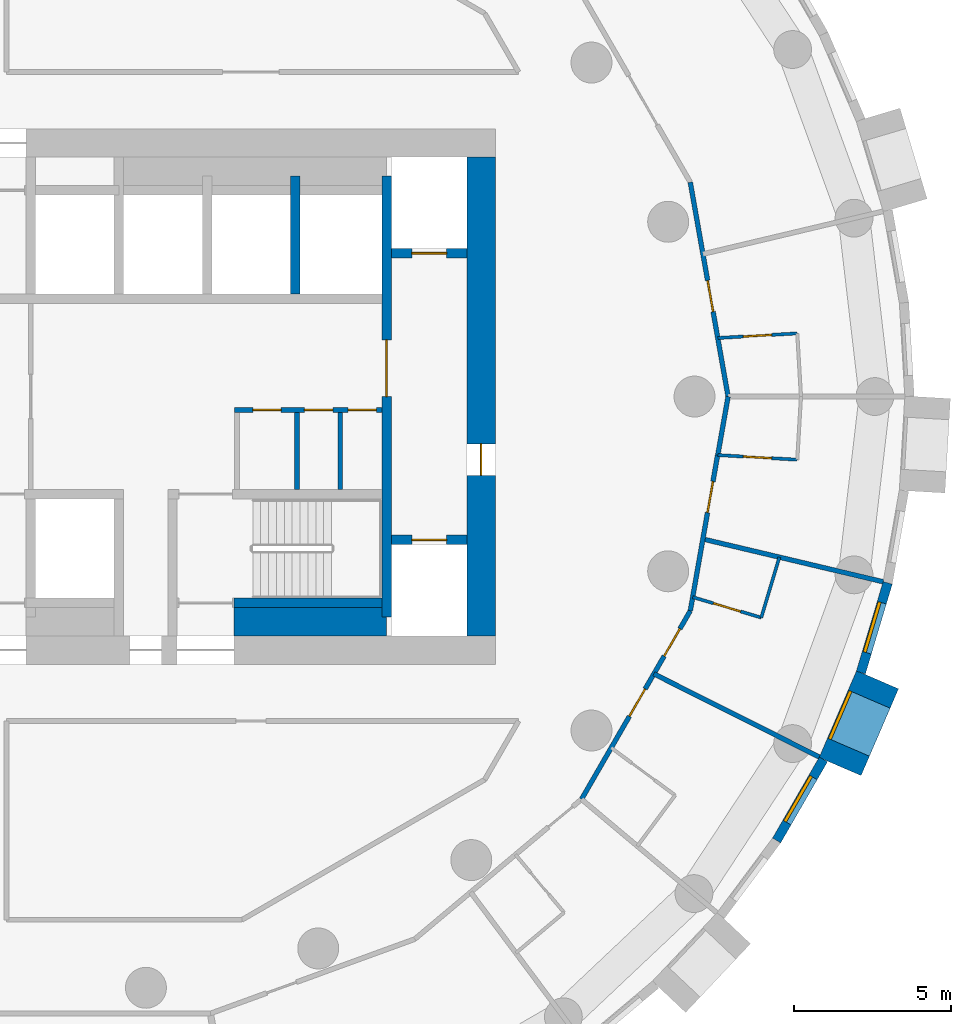
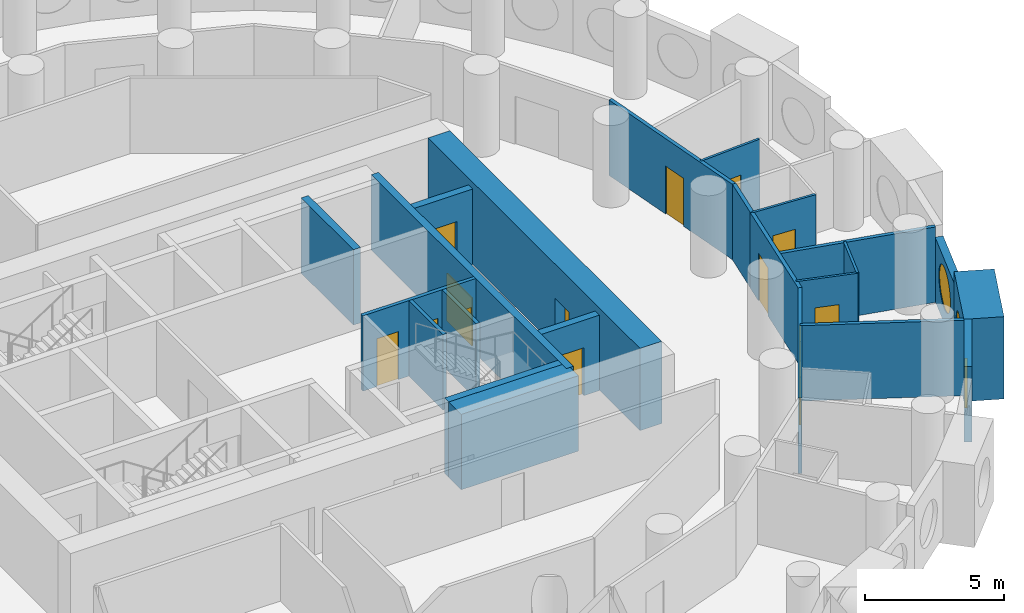
# One storey, part 5 of 9: 23 walls, 14 doors, 3 windows, 17 openings.
"""IFC4 building model written with IfcOpenShell, lengths in metres."""

from ifc_helpers import new_model, si_unit, direction, frame, frame_2d, origin, origin_2d, place, context, subcontext, project, spatial, rectangle, circle, extrude, material, layer, layer_set, type_object, element, fill, save


model = new_model("IFC4")

# Units and contexts
model_context = context("Model", 3, precision=1e-05, world=origin(), true_north=direction((0.0, 1.0)))
body_context = subcontext(model_context, "Body", "Model", "MODEL_VIEW")
ifc_project = project(units=[si_unit("LENGTHUNIT", "METRE"), si_unit("AREAUNIT", "SQUARE_METRE"), si_unit("VOLUMEUNIT", "CUBIC_METRE"), si_unit("PLANEANGLEUNIT", "RADIAN"), si_unit("MASSUNIT", "GRAM", prefix="KILO")], contexts=[model_context])

# Site, building, storey
site_placement = place(None, origin())
site = spatial("IfcSite", under=ifc_project, at=site_placement, CompositionType="ELEMENT")
building_placement = place(site_placement, origin())
building = spatial("IfcBuilding", under=site, at=building_placement, Name="Tracery Tower", CompositionType="ELEMENT")
storey_placement = place(building_placement, frame((0.0, 0.0, 190.800048828125)))
storey = spatial("IfcBuildingStorey", under=building, at=storey_placement, Name="L49", CompositionType="ELEMENT", Elevation=190.800048828125)

# Wall, openings, doors
ifc_material_1 = material(Name="Plasterboard on steel studs", Category="steel")
ifc_layer_1 = layer(ifc_material_1, 0.14990234375)
ifc_layer_set_1 = layer_set([ifc_layer_1], Name="Core room partition 150")
wall_type_1 = type_object("IfcWallType", Name="Core room partition 150", PredefinedType="SOLIDWALL", material=ifc_layer_set_1)
wall_1_placement = place(storey_placement, frame((4.22509765625, -0.425048828125, 0.0), z_axis=(0.0, 0.0, 1.0), x_axis=(1.0, 0.0, 0.0)))
wall_1 = element("IfcWall", 1, at=wall_1_placement, inside=storey, type_object=wall_type_1, Name="L49 slot N", PredefinedType="SOLIDWALL", context=body_context, shape_type="SweptSolid", body=[
    extrude(rectangle(XDim=4.6748046875, YDim=0.14990234375, at=frame_2d((2.33740234375, 0.0))), origin(), (0.0, 0.0, 1.0), 3.300048828125),
])
opening_1_placement = place(wall_1_placement, frame((0.574951171875, 0.0, 0.0)))
opening_1 = element("IfcOpeningElement", 2, at=opening_1_placement, cuts=wall_1, Name="Opening KD22", PredefinedType="OPENING", context=body_context, shape_type="SweptSolid", body=[
    extrude(rectangle(XDim=0.89990234375, YDim=2.10009765625, at=frame_2d((0.449951171875, 1.050048828125))), frame((0.0, 0.074951171875, 0.0), z_axis=(0.0, -1.0, 0.0), x_axis=(1.0, 0.0, 0.0)), (0.0, 0.0, 1.0), 0.14990234375),
])
opening_2_placement = place(wall_1_placement, frame((2.21240234375, 0.0, 0.0)))
opening_2 = element("IfcOpeningElement", 3, at=opening_2_placement, cuts=wall_1, Name="Opening KD26", PredefinedType="OPENING", context=body_context, shape_type="SweptSolid", body=[
    extrude(rectangle(XDim=0.89990234375, YDim=2.10009765625, at=frame_2d((0.449951171875, 1.050048828125))), frame((0.0, 0.074951171875, 0.0), z_axis=(0.0, -1.0, 0.0), x_axis=(1.0, 0.0, 0.0)), (0.0, 0.0, 1.0), 0.14990234375),
])
opening_3_placement = place(wall_1_placement, frame((3.60009765625, 0.0, 0.0)))
opening_3 = element("IfcOpeningElement", 4, at=opening_3_placement, cuts=wall_1, Name="Opening KD27", PredefinedType="OPENING", context=body_context, shape_type="SweptSolid", body=[
    extrude(rectangle(XDim=0.89990234375, YDim=2.10009765625, at=frame_2d((0.449951171875, 1.050048828125))), frame((0.0, 0.074951171875, 0.0), z_axis=(0.0, -1.0, 0.0), x_axis=(1.0, 0.0, 0.0)), (0.0, 0.0, 1.0), 0.14990234375),
])
ifc_material_2 = material(Name="Timber door leaf", Category="wood")
door_type_1 = type_object("IfcDoorType", Name="Core WC door 900", OperationType="NOTDEFINED", PredefinedType="DOOR", material=ifc_material_2)
door_1_placement = place(opening_1_placement, origin())
door_1 = element("IfcDoor", 5, at=door_1_placement, inside=storey, type_object=door_type_1, Name="Core door", OperationType="SINGLE_SWING_RIGHT", OverallHeight=2.10009765625, OverallWidth=0.89990234375, PredefinedType="DOOR", context=body_context, shape_type="SweptSolid", body=[
    extrude(rectangle(XDim=0.89990234375, YDim=2.10009765625, at=frame_2d((0.449951171875, 1.050048828125))), frame((0.0, 0.02490234375, 0.0), z_axis=(0.0, -1.0, 0.0), x_axis=(1.0, 0.0, 0.0)), (0.0, 0.0, 1.0), 0.050048828125),
])
fill(opening_1, door_1)
ifc_material_3 = material(Name="Timber door leaf", Category="wood")
door_type_2 = type_object("IfcDoorType", Name="Core store door 900", OperationType="NOTDEFINED", PredefinedType="DOOR", material=ifc_material_3)
door_2_placement = place(opening_2_placement, origin())
door_2 = element("IfcDoor", 6, at=door_2_placement, inside=storey, type_object=door_type_2, Name="Core door", OperationType="SINGLE_SWING_LEFT", OverallHeight=2.10009765625, OverallWidth=0.89990234375, PredefinedType="DOOR", context=body_context, shape_type="SweptSolid", body=[
    extrude(rectangle(XDim=0.89990234375, YDim=2.10009765625, at=frame_2d((0.449951171875, 1.050048828125))), frame((0.0, 0.02490234375, 0.0), z_axis=(0.0, -1.0, 0.0), x_axis=(1.0, 0.0, 0.0)), (0.0, 0.0, 1.0), 0.050048828125),
])
fill(opening_2, door_2)
door_3_placement = place(opening_3_placement, origin())
door_3 = element("IfcDoor", 7, at=door_3_placement, inside=storey, type_object=door_type_2, Name="Core door", OperationType="SINGLE_SWING_RIGHT", OverallHeight=2.10009765625, OverallWidth=0.89990234375, PredefinedType="DOOR", context=body_context, shape_type="SweptSolid", body=[
    extrude(rectangle(XDim=0.89990234375, YDim=2.10009765625, at=frame_2d((0.449951171875, 1.050048828125))), frame((0.0, 0.02490234375, 0.0), z_axis=(0.0, -1.0, 0.0), x_axis=(1.0, 0.0, 0.0)), (0.0, 0.0, 1.0), 0.050048828125),
])
fill(opening_3, door_3)

# Walls
for number, where, z_axis, x_axis, name in (
    (8, (6.199951171875, -2.949951171875, 0.0), (0.0, 0.0, 1.0), (0.0, 1.0, 0.0), "L49 slot sep 1"),
    (9, (7.574951171875, -2.949951171875, 0.0), (0.0, 0.0, 1.0), (0.0, 1.0, 0.0), "L49 slot sep 2"),
):
    element("IfcWall", number, at=place(storey_placement, frame(where, z_axis=z_axis, x_axis=x_axis)), inside=storey, type_object=wall_type_1, Name=name, PredefinedType="SOLIDWALL", context=body_context, shape_type="SweptSolid", body=[
        extrude(rectangle(XDim=2.449951171875, YDim=0.14990234375, at=frame_2d((1.22509765625, 0.0))), origin(), (0.0, 0.0, 1.0), 3.300048828125),
    ])
ifc_material_4 = material(Name="Concrete C50/60", Category="concrete")
ifc_layer_2 = layer(ifc_material_4, 0.89990234375)
ifc_layer_set_2 = layer_set([ifc_layer_2], Name="Core strip wall 900 C50")
wall_type_2 = type_object("IfcWallType", Name="Core strip wall 900 C50", PredefinedType="SOLIDWALL", material=ifc_layer_set_2)
wall_2_placement = place(storey_placement, frame((4.199951171875, -7.14990234375, 0.0), z_axis=(0.0, 0.0, 1.0), x_axis=(1.0, 0.0, 0.0)))
element("IfcWall", 10, at=wall_2_placement, inside=storey, type_object=wall_type_2, Name="L49 F thick S E", PredefinedType="SOLIDWALL", context=body_context, shape_type="SweptSolid", body=[
    extrude(rectangle(XDim=4.85009765625, YDim=0.89990234375, at=frame_2d((2.425048828125, 0.0))), origin(), (0.0, 0.0, 1.0), 3.300048828125),
])

# Wall, opening, door
ifc_material_5 = material(Name="Concrete C50/60", Category="concrete")
ifc_layer_3 = layer(ifc_material_5, 0.89990234375)
ifc_layer_set_3 = layer_set([ifc_layer_3], Name="Core wall 900 C50")
wall_type_3 = type_object("IfcWallType", Name="Core wall 900 C50", PredefinedType="SOLIDWALL", material=ifc_layer_set_3)
wall_3_placement = place(storey_placement, frame((12.050048828125, -7.60009765625, 0.0), z_axis=(0.0, 0.0, 1.0), x_axis=(0.0, 1.0, 0.0)))
wall_3 = element("IfcWall", 11, at=wall_3_placement, inside=storey, type_object=wall_type_3, Name="L49 outer E", PredefinedType="SOLIDWALL", context=body_context, shape_type="SweptSolid", body=[
    extrude(rectangle(XDim=15.2001953125, YDim=0.89990234375, at=frame_2d((7.60009765625, 0.0))), origin(), (0.0, 0.0, 1.0), 3.599853515625),
])
opening_4_placement = place(wall_3_placement, frame((5.10009765625, 0.0, 0.0)))
opening_4 = element("IfcOpeningElement", 12, at=opening_4_placement, cuts=wall_3, Name="Opening KD18", PredefinedType="OPENING", context=body_context, shape_type="SweptSolid", body=[
    extrude(rectangle(XDim=1.0, YDim=2.10009765625, at=frame_2d((0.5, 1.050048828125))), frame((0.0, 0.449951171875, 0.0), z_axis=(0.0, -1.0, 0.0), x_axis=(1.0, 0.0, 0.0)), (0.0, 0.0, 1.0), 0.89990234375),
])
ifc_material_6 = material(Name="Steel fire door", Category="steel")
door_type_3 = type_object("IfcDoorType", Name="Core exit door 1000", OperationType="NOTDEFINED", PredefinedType="DOOR", material=ifc_material_6)
door_4_placement = place(opening_4_placement, origin())
door_4 = element("IfcDoor", 13, at=door_4_placement, inside=storey, type_object=door_type_3, Name="Core exit door", OperationType="DOUBLE_DOOR_SINGLE_SWING", OverallHeight=2.10009765625, OverallWidth=1.0, PredefinedType="DOOR", context=body_context, shape_type="SweptSolid", body=[
    extrude(rectangle(XDim=1.0, YDim=2.10009765625, at=frame_2d((0.5, 1.050048828125))), frame((0.0, 0.02490234375, 0.0), z_axis=(0.0, -1.0, 0.0), x_axis=(1.0, 0.0, 0.0)), (0.0, 0.0, 1.0), 0.050048828125),
])
fill(opening_4, door_4)

# Wall, opening, window
ifc_material_7 = material(Name="Precast concrete C50/60", Category="concrete")
ifc_layer_4 = layer(ifc_material_7, 1.449951171875)
ifc_layer_set_4 = layer_set([ifc_layer_4], Name="Deep-set bay unit 3000 x 3600, slab edge 300")
wall_type_4 = type_object("IfcWallType", Name="Deep-set bay unit 3000 x 3600, slab edge 300", PredefinedType="ELEMENTEDWALL", material=ifc_layer_set_4)
wall_4_placement = place(storey_placement, frame((23.44384765625, -11.746337890625, -0.300048828125), z_axis=(0.0, 0.0, 1.0), x_axis=(0.396079003245, 0.918216435917, 0.0)))
wall_4 = element("IfcWall", 14, at=wall_4_placement, inside=storey, type_object=wall_type_4, Name="Deep-set bay unit 51 at L49", PredefinedType="ELEMENTEDWALL", context=body_context, shape_type="SweptSolid", body=[
    extrude(rectangle(XDim=3.0, YDim=1.449951171875, at=frame_2d((1.5, 0.0))), origin(), (0.0, 0.0, 1.0), 3.60009765625),
])
opening_5_placement = place(wall_4_placement, frame((1.5, 0.0, 1.85009765625)))
opening_5 = element("IfcOpeningElement", 15, at=opening_5_placement, cuts=wall_4, Name="Opening WN1", PredefinedType="OPENING", context=body_context, shape_type="SweptSolid", body=[
    extrude(circle(Radius=0.9000244140625, at=origin_2d()), frame((0.0, 0.73486328125, 0.0), z_axis=(0.0, -1.0, 0.0), x_axis=(1.0, 0.0, 0.0)), (0.0, 0.0, 1.0), 1.469970703125),
])
ifc_material_8 = material(Name="Aluminium frame with tinted double glazing", Category="aluminium")
window_type = type_object("IfcWindowType", Name="Round window 1800", PartitioningType="SINGLE_PANEL", PredefinedType="WINDOW", material=ifc_material_8)
window_1_placement = place(opening_5_placement, origin())
window_1 = element("IfcWindow", 16, at=window_1_placement, inside=storey, type_object=window_type, Name="Round window 51 at L49", OverallHeight=1.800048828125, OverallWidth=1.800048828125, PartitioningType="SINGLE_PANEL", PredefinedType="WINDOW", context=body_context, shape_type="SweptSolid", body=[
    extrude(circle(Radius=0.9000244140625, at=origin_2d()), frame((0.0, 0.69482421875, 0.0), z_axis=(0.0, -1.0, 0.0), x_axis=(1.0, 0.0, 0.0)), (0.0, 0.0, 1.0), 0.10009765625),
])
fill(opening_5, window_1)

ifc_material_9 = material(Name="Precast concrete C50/60", Category="concrete")
ifc_layer_5 = layer(ifc_material_9, 0.300048828125)
ifc_layer_set_5 = layer_set([ifc_layer_5], Name="Facade panel 3000 x 2800")
wall_type_5 = type_object("IfcWallType", Name="Facade panel 3000 x 2800", PredefinedType="SOLIDWALL", material=ifc_layer_set_5)
wall_5_placement = place(storey_placement, frame((24.103515625, -8.7626953125, 0.0), z_axis=(0.0, 0.0, 1.0), x_axis=(0.286782750849, 0.957995643944, 0.0)))
wall_5 = element("IfcWall", 17, at=wall_5_placement, inside=storey, type_object=wall_type_5, Name="Facade panel 52 at L49", PredefinedType="SOLIDWALL", context=body_context, shape_type="SweptSolid", body=[
    extrude(rectangle(XDim=2.97265625, YDim=0.300048828125, at=frame_2d((1.486328125, 0.0))), origin(), (0.0, 0.0, 1.0), 2.800048828125),
])
opening_6_placement = place(wall_5_placement, frame((1.486328125, 0.0, 1.5498046875)))
opening_6 = element("IfcOpeningElement", 18, at=opening_6_placement, cuts=wall_5, Name="Opening WN1", PredefinedType="OPENING", context=body_context, shape_type="SweptSolid", body=[
    extrude(circle(Radius=0.9000244140625, at=origin_2d()), frame((0.0, 0.159912109375, 0.0), z_axis=(0.0, -1.0, 0.0), x_axis=(1.0, 0.0, 0.0)), (0.0, 0.0, 1.0), 0.320068359375),
])
window_2_placement = place(opening_6_placement, origin())
window_2 = element("IfcWindow", 19, at=window_2_placement, inside=storey, type_object=window_type, Name="Round window 52 at L49", OverallHeight=1.800048828125, OverallWidth=1.800048828125, PartitioningType="SINGLE_PANEL", PredefinedType="WINDOW", context=body_context, shape_type="SweptSolid", body=[
    extrude(circle(Radius=0.9000244140625, at=origin_2d()), frame((0.0, 0.1201171875, 0.0), z_axis=(0.0, -1.0, 0.0), x_axis=(1.0, 0.0, 0.0)), (0.0, 0.0, 1.0), 0.10009765625),
])
fill(opening_6, window_2)

ifc_material_10 = material(Name="Precast concrete C50/60", Category="concrete")
ifc_layer_6 = layer(ifc_material_10, 0.300048828125)
ifc_layer_set_6 = layer_set([ifc_layer_6], Name="Facade panel 3000 x 3300")
wall_type_6 = type_object("IfcWallType", Name="Facade panel 3000 x 3300", PredefinedType="SOLIDWALL", material=ifc_layer_set_6)
wall_6_placement = place(storey_placement, frame((21.42822265625, -14.093505859375, 0.0), z_axis=(0.0, 0.0, 1.0), x_axis=(0.499954672104, 0.866051572276, 0.0)))
wall_6 = element("IfcWall", 20, at=wall_6_placement, inside=storey, type_object=wall_type_6, Name="Facade panel 50 at L49", PredefinedType="SOLIDWALL", context=body_context, shape_type="SweptSolid", body=[
    extrude(rectangle(XDim=2.972900390625, YDim=0.300048828125, at=frame_2d((1.486328125, 0.0))), origin(), (0.0, 0.0, 1.0), 3.300048828125),
])
opening_7_placement = place(wall_6_placement, frame((1.486328125, 0.0, 1.5498046875)))
opening_7 = element("IfcOpeningElement", 21, at=opening_7_placement, cuts=wall_6, Name="Opening WN1", PredefinedType="OPENING", context=body_context, shape_type="SweptSolid", body=[
    extrude(circle(Radius=0.9000244140625, at=origin_2d()), frame((0.0, 0.159912109375, 0.0), z_axis=(0.0, -1.0, 0.0), x_axis=(1.0, 0.0, 0.0)), (0.0, 0.0, 1.0), 0.320068359375),
])
window_3_placement = place(opening_7_placement, origin())
window_3 = element("IfcWindow", 22, at=window_3_placement, inside=storey, type_object=window_type, Name="Round window 50 at L49", OverallHeight=1.800048828125, OverallWidth=1.800048828125, PartitioningType="SINGLE_PANEL", PredefinedType="WINDOW", context=body_context, shape_type="SweptSolid", body=[
    extrude(circle(Radius=0.9000244140625, at=origin_2d()), frame((0.0, 0.1201171875, 0.0), z_axis=(0.0, -1.0, 0.0), x_axis=(1.0, 0.0, 0.0)), (0.0, 0.0, 1.0), 0.10009765625),
])
fill(opening_7, window_3)

# Wall, opening, door
ifc_material_11 = material(Name="Plasterboard on steel studs", Category="steel")
ifc_layer_7 = layer(ifc_material_11, 0.10009765625)
ifc_layer_set_7 = layer_set([ifc_layer_7], Name="Partition 100 wet wall")
wall_type_7 = type_object("IfcWallType", Name="Partition 100 wet wall", PredefinedType="PARTITIONING", material=ifc_layer_set_7)
wall_7_placement = place(storey_placement, frame((19.56005859375, 1.85791015625, 0.0), z_axis=(0.0, 0.0, 1.0), x_axis=(0.998308830473, 0.05813328651, 0.0)))
wall_7 = element("IfcWall", 23, at=wall_7_placement, inside=storey, type_object=wall_type_7, Name="Wet wall RB7-041", PredefinedType="PARTITIONING", context=body_context, shape_type="SweptSolid", body=[
    extrude(rectangle(XDim=2.5283203125, YDim=0.10009765625, at=frame_2d((1.26416015625, 0.0))), origin(), (0.0, 0.0, 1.0), 3.300048828125),
])
opening_8_placement = place(wall_7_placement, frame((0.814208984375, 0.0, 0.0)))
opening_8 = element("IfcOpeningElement", 24, at=opening_8_placement, cuts=wall_7, Name="Opening RB7-05", PredefinedType="OPENING", context=body_context, shape_type="SweptSolid", body=[
    extrude(rectangle(XDim=0.89990234375, YDim=2.0400390625, at=frame_2d((0.449951171875, 1.02001953125))), frame((0.0, 0.050048828125, 0.0), z_axis=(0.0, -1.0, 0.0), x_axis=(1.0, 0.0, 0.0)), (0.0, 0.0, 1.0), 0.10009765625),
])
ifc_material_12 = material(Name="Timber door leaf", Category="wood")
door_type_4 = type_object("IfcDoorType", Name="Door en-suite 900", OperationType="NOTDEFINED", PredefinedType="DOOR", material=ifc_material_12)
door_5_placement = place(opening_8_placement, origin())
door_5 = element("IfcDoor", 25, at=door_5_placement, inside=storey, type_object=door_type_4, Name="En-suite door RB7-05", OperationType="SINGLE_SWING_LEFT", OverallHeight=2.0400390625, OverallWidth=0.89990234375, PredefinedType="DOOR", context=body_context, shape_type="SweptSolid", body=[
    extrude(rectangle(XDim=0.89990234375, YDim=2.0400390625, at=frame_2d((0.449951171875, 1.02001953125))), frame((0.0, 0.02490234375, 0.0), z_axis=(0.0, -1.0, 0.0), x_axis=(1.0, 0.0, 0.0)), (0.0, 0.0, 1.0), 0.050048828125),
])
fill(opening_8, door_5)

wall_8_placement = place(storey_placement, frame((18.764892578125, -6.366943359375, 0.0), z_axis=(0.0, 0.0, 1.0), x_axis=(0.958030169919, -0.286667391807, 0.0)))
wall_8 = element("IfcWall", 26, at=wall_8_placement, inside=storey, type_object=wall_type_7, Name="Wet wall RB7-064", PredefinedType="PARTITIONING", context=body_context, shape_type="SweptSolid", body=[
    extrude(rectangle(XDim=2.271240234375, YDim=0.10009765625, at=frame_2d((1.1357421875, 0.0))), origin(), (0.0, 0.0, 1.0), 3.300048828125),
])
opening_9_placement = place(wall_8_placement, frame((0.68603515625, 0.0, 0.0)))
opening_9 = element("IfcOpeningElement", 27, at=opening_9_placement, cuts=wall_8, Name="Opening RB7-23", PredefinedType="OPENING", context=body_context, shape_type="SweptSolid", body=[
    extrude(rectangle(XDim=0.89990234375, YDim=2.0400390625, at=frame_2d((0.449951171875, 1.02001953125))), frame((0.0, 0.050048828125, 0.0), z_axis=(0.0, -1.0, 0.0), x_axis=(1.0, 0.0, 0.0)), (0.0, 0.0, 1.0), 0.10009765625),
])
door_6_placement = place(opening_9_placement, origin())
door_6 = element("IfcDoor", 28, at=door_6_placement, inside=storey, type_object=door_type_4, Name="En-suite door RB7-23", OperationType="SINGLE_SWING_RIGHT", OverallHeight=2.0400390625, OverallWidth=0.89990234375, PredefinedType="DOOR", context=body_context, shape_type="SweptSolid", body=[
    extrude(rectangle(XDim=0.89990234375, YDim=2.0400390625, at=frame_2d((0.449951171875, 1.02001953125))), frame((0.0, 0.02490234375, 0.0), z_axis=(0.0, -1.0, 0.0), x_axis=(1.0, 0.0, 0.0)), (0.0, 0.0, 1.0), 0.050048828125),
])
fill(opening_9, door_6)

# Wall
wall_9_placement = place(storey_placement, frame((20.94091796875, -7.01806640625, 0.0), z_axis=(0.0, 0.0, 1.0), x_axis=(0.287124264191, 0.957893343182, 0.0)))
element("IfcWall", 29, at=wall_9_placement, inside=storey, type_object=wall_type_7, Name="Wet wall RB7-065", PredefinedType="PARTITIONING", context=body_context, shape_type="SweptSolid", body=[
    extrude(rectangle(XDim=2.00341796875, YDim=0.10009765625, at=frame_2d((1.001708984375, 0.0))), origin(), (0.0, 0.0, 1.0), 3.300048828125),
])

# Wall, opening, door
wall_10_placement = place(storey_placement, frame((19.56005859375, -1.85791015625, 0.0), z_axis=(0.0, 0.0, 1.0), x_axis=(0.998308830473, -0.05813328651, 0.0)))
wall_10 = element("IfcWall", 30, at=wall_10_placement, inside=storey, type_object=wall_type_7, Name="Wet wall RB7-067", PredefinedType="PARTITIONING", context=body_context, shape_type="SweptSolid", body=[
    extrude(rectangle(XDim=2.5283203125, YDim=0.10009765625, at=frame_2d((1.26416015625, 0.0))), origin(), (0.0, 0.0, 1.0), 3.300048828125),
])
opening_10_placement = place(wall_10_placement, frame((0.81396484375, 0.0, 0.0)))
opening_10 = element("IfcOpeningElement", 31, at=opening_10_placement, cuts=wall_10, Name="Opening RB7-25", PredefinedType="OPENING", context=body_context, shape_type="SweptSolid", body=[
    extrude(rectangle(XDim=0.89990234375, YDim=2.0400390625, at=frame_2d((0.449951171875, 1.02001953125))), frame((0.0, 0.050048828125, 0.0), z_axis=(0.0, -1.0, 0.0), x_axis=(1.0, 0.0, 0.0)), (0.0, 0.0, 1.0), 0.10009765625),
])
door_7_placement = place(opening_10_placement, origin())
door_7 = element("IfcDoor", 32, at=door_7_placement, inside=storey, type_object=door_type_4, Name="En-suite door RB7-25", OperationType="SINGLE_SWING_LEFT", OverallHeight=2.0400390625, OverallWidth=0.89990234375, PredefinedType="DOOR", context=body_context, shape_type="SweptSolid", body=[
    extrude(rectangle(XDim=0.89990234375, YDim=2.0400390625, at=frame_2d((0.449951171875, 1.02001953125))), frame((0.0, 0.02490234375, 0.0), z_axis=(0.0, -1.0, 0.0), x_axis=(1.0, 0.0, 0.0)), (0.0, 0.0, 1.0), 0.050048828125),
])
fill(opening_10, door_7)

# Walls
ifc_material_13 = material(Name="Plasterboard on steel studs", Category="steel")
ifc_layer_8 = layer(ifc_material_13, 0.14990234375)
ifc_layer_set_8 = layer_set([ifc_layer_8], Name="Partition 150 acoustic unit wall")
wall_type_8 = type_object("IfcWallType", Name="Partition 150 acoustic unit wall", PredefinedType="PARTITIONING", material=ifc_layer_set_8)
wall_11_placement = place(storey_placement, frame((17.531982421875, -8.804931640625, 0.0), z_axis=(0.0, 0.0, 1.0), x_axis=(0.893628331628, -0.448807759415, 0.0)))
element("IfcWall", 33, at=wall_11_placement, inside=storey, type_object=wall_type_8, Name="Unit wall RB7-063", PredefinedType="PARTITIONING", context=body_context, shape_type="SweptSolid", body=[
    extrude(rectangle(XDim=5.878173828125, YDim=0.14990234375, at=frame_2d((2.93896484375, 0.0))), origin(), (0.0, 0.0, 1.0), 3.300048828125),
])
wall_12_placement = place(storey_placement, frame((19.090087890625, -4.523681640625, 0.0), z_axis=(0.0, 0.0, 1.0), x_axis=(0.973024130834, -0.230703361082, 0.0)))
element("IfcWall", 34, at=wall_12_placement, inside=storey, type_object=wall_type_8, Name="Unit wall RB7-066", PredefinedType="PARTITIONING", context=body_context, shape_type="SweptSolid", body=[
    extrude(rectangle(XDim=5.878662109375, YDim=0.14990234375, at=frame_2d((2.939453125, 0.0))), origin(), (0.0, 0.0, 1.0), 3.300048828125),
])

# Wall, opening, door
ifc_material_14 = material(Name="Plasterboard on steel studs", Category="steel")
ifc_layer_9 = layer(ifc_material_14, 0.14990234375)
ifc_layer_set_9 = layer_set([ifc_layer_9], Name="Partition 150 corridor wall")
wall_type_9 = type_object("IfcWallType", Name="Partition 150 corridor wall", PredefinedType="PARTITIONING", material=ifc_layer_set_9)
wall_13_placement = place(storey_placement, frame((18.6875, 6.802001953125, 0.0), z_axis=(0.0, 0.0, 1.0), x_axis=(0.173831710537, -0.984775373581, 0.0)))
wall_13 = element("IfcWall", 35, at=wall_13_placement, inside=storey, type_object=wall_type_9, Name="Corridor wall RB7-007", PredefinedType="PARTITIONING", context=body_context, shape_type="SweptSolid", body=[
    extrude(rectangle(XDim=6.9072265625, YDim=0.14990234375, at=frame_2d((3.45361328125, 0.0))), origin(), (0.0, 0.0, 1.0), 3.300048828125),
])
opening_11_placement = place(wall_13_placement, frame((3.1669921875, 0.0, 0.0)))
opening_11 = element("IfcOpeningElement", 36, at=opening_11_placement, cuts=wall_13, Name="Opening RB7-06", PredefinedType="OPENING", context=body_context, shape_type="SweptSolid", body=[
    extrude(rectangle(XDim=1.0, YDim=2.10009765625, at=frame_2d((0.5, 1.050048828125))), frame((0.0, 0.074951171875, 0.0), z_axis=(0.0, -1.0, 0.0), x_axis=(1.0, 0.0, 0.0)), (0.0, 0.0, 1.0), 0.14990234375),
])
ifc_material_15 = material(Name="Timber door leaf", Category="wood")
door_type_5 = type_object("IfcDoorType", Name="Door unit entrance 1000", OperationType="NOTDEFINED", PredefinedType="DOOR", material=ifc_material_15)
door_8_placement = place(opening_11_placement, origin())
door_8 = element("IfcDoor", 37, at=door_8_placement, inside=storey, type_object=door_type_5, Name="Unit entrance door RB7-06", OperationType="SINGLE_SWING_RIGHT", OverallHeight=2.10009765625, OverallWidth=1.0, PredefinedType="DOOR", context=body_context, shape_type="SweptSolid", body=[
    extrude(rectangle(XDim=1.0, YDim=2.10009765625, at=frame_2d((0.5, 1.050048828125))), frame((0.0, 0.02490234375, 0.0), z_axis=(0.0, -1.0, 0.0), x_axis=(1.0, 0.0, 0.0)), (0.0, 0.0, 1.0), 0.050048828125),
])
fill(opening_11, door_8)

# Wall, openings, doors
wall_14_placement = place(storey_placement, frame((15.234619140625, -12.78369140625, 0.0), z_axis=(0.0, 0.0, 1.0), x_axis=(0.499982531118, 0.866035489213, 0.0)))
wall_14 = element("IfcWall", 38, at=wall_14_placement, inside=storey, type_object=wall_type_9, Name="Corridor wall RB7-011", PredefinedType="PARTITIONING", context=body_context, shape_type="SweptSolid", body=[
    extrude(rectangle(XDim=6.906982421875, YDim=0.14990234375, at=frame_2d((3.45361328125, 0.0))), origin(), (0.0, 0.0, 1.0), 3.300048828125),
])
opening_12_placement = place(wall_14_placement, frame((3.041015625, 0.0, 0.0)))
opening_12 = element("IfcOpeningElement", 39, at=opening_12_placement, cuts=wall_14, Name="Opening RB7-22", PredefinedType="OPENING", context=body_context, shape_type="SweptSolid", body=[
    extrude(rectangle(XDim=1.0, YDim=2.10009765625, at=frame_2d((0.5, 1.050048828125))), frame((0.0, 0.074951171875, 0.0), z_axis=(0.0, -1.0, 0.0), x_axis=(1.0, 0.0, 0.0)), (0.0, 0.0, 1.0), 0.14990234375),
])
opening_13_placement = place(wall_14_placement, frame((5.2490234375, 0.0, 0.0)))
opening_13 = element("IfcOpeningElement", 40, at=opening_13_placement, cuts=wall_14, Name="Opening RB7-24", PredefinedType="OPENING", context=body_context, shape_type="SweptSolid", body=[
    extrude(rectangle(XDim=1.0, YDim=2.10009765625, at=frame_2d((0.5, 1.050048828125))), frame((0.0, 0.074951171875, 0.0), z_axis=(0.0, -1.0, 0.0), x_axis=(1.0, 0.0, 0.0)), (0.0, 0.0, 1.0), 0.14990234375),
])
door_9_placement = place(opening_12_placement, origin())
door_9 = element("IfcDoor", 41, at=door_9_placement, inside=storey, type_object=door_type_5, Name="Unit entrance door RB7-22", OperationType="SINGLE_SWING_LEFT", OverallHeight=2.10009765625, OverallWidth=1.0, PredefinedType="DOOR", context=body_context, shape_type="SweptSolid", body=[
    extrude(rectangle(XDim=1.0, YDim=2.10009765625, at=frame_2d((0.5, 1.050048828125))), frame((0.0, 0.02490234375, 0.0), z_axis=(0.0, -1.0, 0.0), x_axis=(1.0, 0.0, 0.0)), (0.0, 0.0, 1.0), 0.050048828125),
])
fill(opening_12, door_9)
door_10_placement = place(opening_13_placement, origin())
door_10 = element("IfcDoor", 42, at=door_10_placement, inside=storey, type_object=door_type_5, Name="Unit entrance door RB7-24", OperationType="SINGLE_SWING_LEFT", OverallHeight=2.10009765625, OverallWidth=1.0, PredefinedType="DOOR", context=body_context, shape_type="SweptSolid", body=[
    extrude(rectangle(XDim=1.0, YDim=2.10009765625, at=frame_2d((0.5, 1.050048828125))), frame((0.0, 0.02490234375, 0.0), z_axis=(0.0, -1.0, 0.0), x_axis=(1.0, 0.0, 0.0)), (0.0, 0.0, 1.0), 0.050048828125),
])
fill(opening_13, door_10)

# Wall, opening, door
wall_15_placement = place(storey_placement, frame((18.68798828125, -6.802001953125, 0.0), z_axis=(0.0, 0.0, 1.0), x_axis=(0.172737452508, 0.9849679043, 0.0)))
wall_15 = element("IfcWall", 43, at=wall_15_placement, inside=storey, type_object=wall_type_9, Name="Corridor wall RB7-012", PredefinedType="PARTITIONING", context=body_context, shape_type="SweptSolid", body=[
    extrude(rectangle(XDim=5.0244140625, YDim=0.14990234375, at=frame_2d((2.51220703125, 0.0))), origin(), (0.0, 0.0, 1.0), 3.300048828125),
])
opening_14_placement = place(wall_15_placement, frame((3.16650390625, 0.0, 0.0)))
opening_14 = element("IfcOpeningElement", 44, at=opening_14_placement, cuts=wall_15, Name="Opening RB7-26", PredefinedType="OPENING", context=body_context, shape_type="SweptSolid", body=[
    extrude(rectangle(XDim=1.0, YDim=2.10009765625, at=frame_2d((0.5, 1.050048828125))), frame((0.0, 0.074951171875, 0.0), z_axis=(0.0, -1.0, 0.0), x_axis=(1.0, 0.0, 0.0)), (0.0, 0.0, 1.0), 0.14990234375),
])
door_11_placement = place(opening_14_placement, origin())
door_11 = element("IfcDoor", 45, at=door_11_placement, inside=storey, type_object=door_type_5, Name="Unit entrance door RB7-26", OperationType="SINGLE_SWING_RIGHT", OverallHeight=2.10009765625, OverallWidth=1.0, PredefinedType="DOOR", context=body_context, shape_type="SweptSolid", body=[
    extrude(rectangle(XDim=1.0, YDim=2.10009765625, at=frame_2d((0.5, 1.050048828125))), frame((0.0, 0.02490234375, 0.0), z_axis=(0.0, -1.0, 0.0), x_axis=(1.0, 0.0, 0.0)), (0.0, 0.0, 1.0), 0.050048828125),
])
fill(opening_14, door_11)

# Walls
wall_16_placement = place(storey_placement, frame((19.56005859375, -1.862060546875, 0.0), z_axis=(0.0, 0.0, 1.0), x_axis=(0.173417007661, 0.984848486547, 0.0)))
element("IfcWall", 46, at=wall_16_placement, inside=storey, type_object=wall_type_9, Name="Corridor wall RB7-013", PredefinedType="PARTITIONING", context=body_context, shape_type="SweptSolid", body=[
    extrude(rectangle(XDim=1.890625, YDim=0.14990234375, at=frame_2d((0.9453125, 0.0))), origin(), (0.0, 0.0, 1.0), 3.300048828125),
])
ifc_material_16 = material(Name="Concrete C50/60", Category="concrete")
ifc_layer_10 = layer(ifc_material_16, 0.300048828125)
ifc_layer_set_10 = layer_set([ifc_layer_10], Name="Shaft wall 300 C50")
wall_type_10 = type_object("IfcWallType", Name="Shaft wall 300 C50", PredefinedType="SOLIDWALL", material=ifc_layer_set_10)
wall_17_placement = place(storey_placement, frame((6.14990234375, 3.25, 0.0), z_axis=(0.0, 0.0, 1.0), x_axis=(0.0, 1.0, 0.0)))
element("IfcWall", 47, at=wall_17_placement, inside=storey, type_object=wall_type_10, Name="L49 HR sep 3", PredefinedType="SOLIDWALL", context=body_context, shape_type="SweptSolid", body=[
    extrude(rectangle(XDim=3.75, YDim=0.300048828125, at=frame_2d((1.875, 0.0))), origin(), (0.0, 0.0, 1.0), 3.300048828125),
])

# Wall, opening, door
wall_18_placement = place(storey_placement, frame((9.199951171875, -4.550048828125, 0.0), z_axis=(0.0, 0.0, 1.0), x_axis=(1.0, 0.0, 0.0)))
wall_18 = element("IfcWall", 48, at=wall_18_placement, inside=storey, type_object=wall_type_10, Name="L49 MR E -4.55", PredefinedType="SOLIDWALL", context=body_context, shape_type="SweptSolid", body=[
    extrude(rectangle(XDim=2.400146484375, YDim=0.300048828125, at=frame_2d((1.2001953125, 0.0))), origin(), (0.0, 0.0, 1.0), 3.300048828125),
])
opening_15_placement = place(wall_18_placement, frame((0.64990234375, 0.0, 0.0)))
opening_15 = element("IfcOpeningElement", 49, at=opening_15_placement, cuts=wall_18, Name="Opening KD50", PredefinedType="OPENING", context=body_context, shape_type="SweptSolid", body=[
    extrude(rectangle(XDim=1.10009765625, YDim=2.10009765625, at=frame_2d((0.550048828125, 1.050048828125))), frame((0.0, 0.14990234375, 0.0), z_axis=(0.0, -1.0, 0.0), x_axis=(1.0, 0.0, 0.0)), (0.0, 0.0, 1.0), 0.300048828125),
])
ifc_material_17 = material(Name="Steel fire door", Category="steel")
door_type_6 = type_object("IfcDoorType", Name="Landing door 1100", OperationType="NOTDEFINED", PredefinedType="DOOR", material=ifc_material_17)
door_12_placement = place(opening_15_placement, origin())
door_12 = element("IfcDoor", 50, at=door_12_placement, inside=storey, type_object=door_type_6, Name="Landing door MR3", OperationType="SLIDING_TO_RIGHT", OverallHeight=2.10009765625, OverallWidth=1.10009765625, PredefinedType="DOOR", context=body_context, shape_type="SweptSolid", body=[
    extrude(rectangle(XDim=1.10009765625, YDim=2.10009765625, at=frame_2d((0.550048828125, 1.050048828125))), frame((0.0, 0.02490234375, 0.0), z_axis=(0.0, -1.0, 0.0), x_axis=(1.0, 0.0, 0.0)), (0.0, 0.0, 1.0), 0.050048828125),
])
fill(opening_15, door_12)

wall_19_placement = place(storey_placement, frame((9.199951171875, 4.550048828125, 0.0), z_axis=(0.0, 0.0, 1.0), x_axis=(1.0, 0.0, 0.0)))
wall_19 = element("IfcWall", 51, at=wall_19_placement, inside=storey, type_object=wall_type_10, Name="L49 MR E +4.55", PredefinedType="SOLIDWALL", context=body_context, shape_type="SweptSolid", body=[
    extrude(rectangle(XDim=2.400146484375, YDim=0.300048828125, at=frame_2d((1.2001953125, 0.0))), origin(), (0.0, 0.0, 1.0), 3.300048828125),
])
opening_16_placement = place(wall_19_placement, frame((0.64990234375, 0.0, 0.0)))
opening_16 = element("IfcOpeningElement", 52, at=opening_16_placement, cuts=wall_19, Name="Opening KD49", PredefinedType="OPENING", context=body_context, shape_type="SweptSolid", body=[
    extrude(rectangle(XDim=1.10009765625, YDim=2.10009765625, at=frame_2d((0.550048828125, 1.050048828125))), frame((0.0, 0.14990234375, 0.0), z_axis=(0.0, -1.0, 0.0), x_axis=(1.0, 0.0, 0.0)), (0.0, 0.0, 1.0), 0.300048828125),
])
door_13_placement = place(opening_16_placement, origin())
door_13 = element("IfcDoor", 53, at=door_13_placement, inside=storey, type_object=door_type_6, Name="Landing door MR4", OperationType="SLIDING_TO_LEFT", OverallHeight=2.10009765625, OverallWidth=1.10009765625, PredefinedType="DOOR", context=body_context, shape_type="SweptSolid", body=[
    extrude(rectangle(XDim=1.10009765625, YDim=2.10009765625, at=frame_2d((0.550048828125, 1.050048828125))), frame((0.0, 0.02490234375, 0.0), z_axis=(0.0, -1.0, 0.0), x_axis=(1.0, 0.0, 0.0)), (0.0, 0.0, 1.0), 0.050048828125),
])
fill(opening_16, door_13)

ifc_material_18 = material(Name="Concrete C50/60", Category="concrete")
ifc_layer_11 = layer(ifc_material_18, 0.300048828125)
ifc_layer_set_11 = layer_set([ifc_layer_11], Name="Stair wall 300 C50")
wall_type_11 = type_object("IfcWallType", Name="Stair wall 300 C50", PredefinedType="SOLIDWALL", material=ifc_layer_set_11)
wall_20_placement = place(storey_placement, frame((9.050048828125, -7.0, 0.0), z_axis=(0.0, 0.0, 1.0), x_axis=(0.0, 1.0, 0.0)))
wall_20 = element("IfcWall", 54, at=wall_20_placement, inside=storey, type_object=wall_type_11, Name="L49 F wall +9", PredefinedType="SOLIDWALL", context=body_context, shape_type="SweptSolid", body=[
    extrude(rectangle(XDim=14.0, YDim=0.300048828125, at=frame_2d((7.0, 0.0))), origin(), (0.0, 0.0, 1.0), 3.300048828125),
])
opening_17_placement = place(wall_20_placement, frame((7.0, 0.0, 0.0)))
opening_17 = element("IfcOpeningElement", 55, at=opening_17_placement, cuts=wall_20, Name="Opening KD13", PredefinedType="OPENING", context=body_context, shape_type="SweptSolid", body=[
    extrude(rectangle(XDim=1.800048828125, YDim=2.10009765625, at=frame_2d((0.89990234375, 1.050048828125))), frame((0.0, 0.14990234375, 0.0), z_axis=(0.0, -1.0, 0.0), x_axis=(1.0, 0.0, 0.0)), (0.0, 0.0, 1.0), 0.300048828125),
])
ifc_material_19 = material(Name="Steel fire door", Category="steel")
door_type_7 = type_object("IfcDoorType", Name="Core exit door 1800 double", OperationType="NOTDEFINED", PredefinedType="DOOR", material=ifc_material_19)
door_14_placement = place(opening_17_placement, origin())
door_14 = element("IfcDoor", 56, at=door_14_placement, inside=storey, type_object=door_type_7, Name="Core exit door", OperationType="DOUBLE_DOOR_SINGLE_SWING", OverallHeight=2.10009765625, OverallWidth=1.800048828125, PredefinedType="DOOR", context=body_context, shape_type="SweptSolid", body=[
    extrude(rectangle(XDim=1.800048828125, YDim=2.10009765625, at=frame_2d((0.89990234375, 1.050048828125))), frame((0.0, 0.02490234375, 0.0), z_axis=(0.0, -1.0, 0.0), x_axis=(1.0, 0.0, 0.0)), (0.0, 0.0, 1.0), 0.050048828125),
])
fill(opening_17, door_14)

# Wall
wall_21_placement = place(storey_placement, frame((4.199951171875, -6.550048828125, 0.0), z_axis=(0.0, 0.0, 1.0), x_axis=(1.0, 0.0, 0.0)))
element("IfcWall", 57, at=wall_21_placement, inside=storey, type_object=wall_type_11, Name="L49 F stair strip S E", PredefinedType="SOLIDWALL", context=body_context, shape_type="SweptSolid", body=[
    extrude(rectangle(XDim=4.699951171875, YDim=0.300048828125, at=frame_2d((2.35009765625, 0.0))), origin(), (0.0, 0.0, 1.0), 3.300048828125),
])

save(model, "model.ifc")
